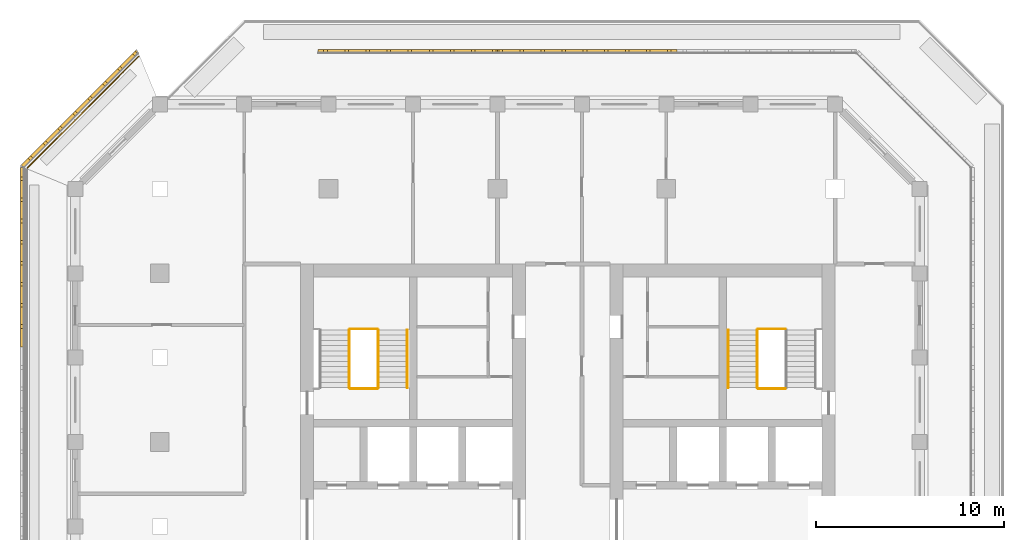
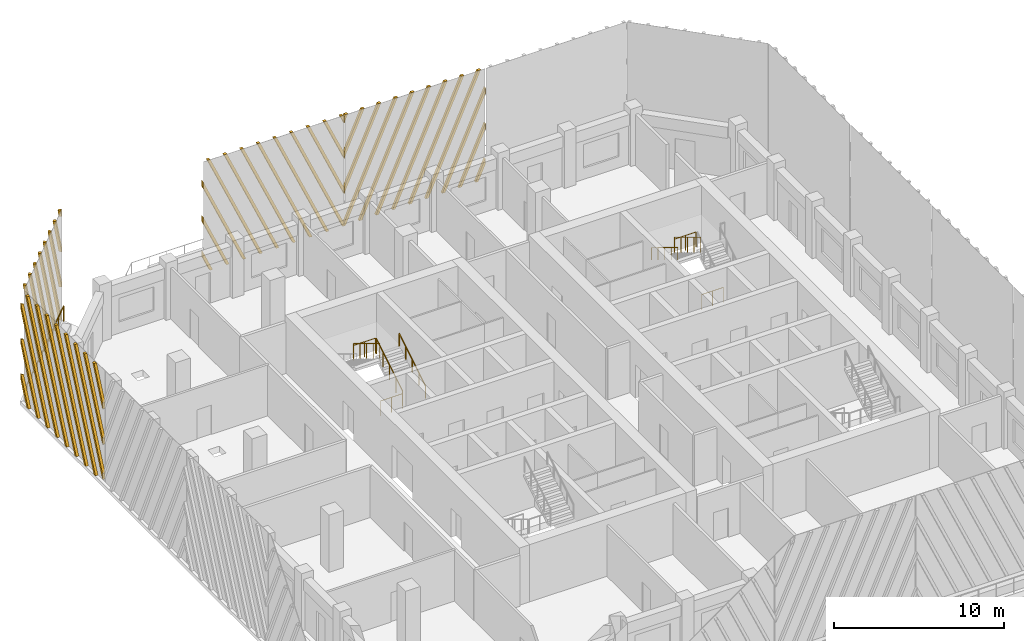
# One storey, part 12 of 14: 10 railings, 4 shading devices.
"""IFC4 building model written with IfcOpenShell, lengths in metres."""

from ifc_helpers import new_model, si_unit, direction, frame, origin, origin_2d, place, context, subcontext, project, spatial, polyline, circle, outline, extrude, source, transform, mapped, material, type_object, element, save


model = new_model("IFC4")

# Units and contexts
model_context = context("Model", 3, precision=1e-05, world=origin(), true_north=direction((0.0, 1.0)))
body_context = subcontext(model_context, "Body", "Model", "MODEL_VIEW")
ifc_project = project(units=[si_unit("LENGTHUNIT", "METRE"), si_unit("AREAUNIT", "SQUARE_METRE"), si_unit("VOLUMEUNIT", "CUBIC_METRE"), si_unit("PLANEANGLEUNIT", "RADIAN"), si_unit("MASSUNIT", "GRAM", prefix="KILO")], contexts=[model_context])

# Site, building, storey
site_placement = place(None, origin())
site = spatial("IfcSite", under=ifc_project, at=site_placement, CompositionType="ELEMENT")
building_placement = place(site_placement, origin())
building = spatial("IfcBuilding", under=site, at=building_placement, Name="Corbel Stack Research Tower", CompositionType="ELEMENT")
storey_placement = place(building_placement, frame((0.0, 0.0, 266.300048828125)))
storey = spatial("IfcBuildingStorey", under=building, at=storey_placement, Name="L60", CompositionType="ELEMENT", Elevation=266.300048828125)

# Railings
ifc_material_1 = material(Name="Steel S355", Category="steel")
railing_type_1 = type_object("IfcRailingType", Name="Stair guard 1100", PredefinedType="GUARDRAIL", material=ifc_material_1)
railing_1_placement = place(storey_placement, frame((-6.35009765625, 11.89990234375, 0.1708984375)))
element("IfcRailing", 1, at=railing_1_placement, inside=storey, type_object=railing_type_1, Name="L60 ST-W2 stair guard 1", PredefinedType="GUARDRAIL", context=body_context, shape_type="SweptSolid", body=[
    extrude(circle(Radius=0.02392578125, at=origin_2d()), frame((0.0, 0.0, 1.076171875), z_axis=(0.0, 0.853666305674, 0.52082035152), x_axis=(-1.0, 0.0, 0.0)), (0.0, 0.0, 1.0), 3.608154296875),
    extrude(circle(Radius=0.02099609375, at=origin_2d()), origin(), (0.0, 0.0, 1.0), 1.052001953125),
    extrude(circle(Radius=0.02099609375, at=origin_2d()), frame((0.0, 0.77001953125, 0.4697265625)), (0.0, 0.0, 1.0), 1.052001953125),
    extrude(circle(Radius=0.02099609375, at=origin_2d()), frame((0.0, 1.5400390625, 0.939453125)), (0.0, 0.0, 1.0), 1.052001953125),
    extrude(circle(Radius=0.02099609375, at=origin_2d()), frame((0.0, 2.31005859375, 1.409423828125)), (0.0, 0.0, 1.0), 1.052001953125),
    extrude(circle(Radius=0.02099609375, at=origin_2d()), frame((0.0, 3.080078125, 1.879150390625)), (0.0, 0.0, 1.0), 1.052001953125),
])
railing_2_placement = place(storey_placement, frame((-6.39990234375, 15.030029296875, 2.050048828125)))
element("IfcRailing", 2, at=railing_2_placement, inside=storey, type_object=railing_type_1, Name="L60 ST-W2 stair guard 2", PredefinedType="GUARDRAIL", context=body_context, shape_type="SweptSolid", body=[
    extrude(circle(Radius=0.02392578125, at=origin_2d()), frame((0.0, 0.0, 1.076171875), z_axis=(-1.0, 0.0, 0.0), x_axis=(0.0, -1.0, 0.0)), (0.0, 0.0, 1.0), 1.4501953125),
    extrude(circle(Radius=0.02099609375, at=origin_2d()), origin(), (0.0, 0.0, 1.0), 1.052001953125),
    extrude(circle(Radius=0.02099609375, at=origin_2d()), frame((-0.72509765625, 0.0, 0.0)), (0.0, 0.0, 1.0), 1.052001953125),
    extrude(circle(Radius=0.02099609375, at=origin_2d()), frame((-1.4501953125, 0.0, 0.0)), (0.0, 0.0, 1.0), 1.052001953125),
])
railing_3_placement = place(storey_placement, frame((-7.89990234375, 14.97998046875, 2.220703125)))
element("IfcRailing", 3, at=railing_3_placement, inside=storey, type_object=railing_type_1, Name="L60 ST-W2 stair guard 4", PredefinedType="GUARDRAIL", context=body_context, shape_type="SweptSolid", body=[
    extrude(circle(Radius=0.02392578125, at=origin_2d()), frame((0.0, 0.0, 1.076171875), z_axis=(0.0, -0.853666305674, 0.52082035152), x_axis=(1.0, 0.0, 0.0)), (0.0, 0.0, 1.0), 3.608154296875),
    extrude(circle(Radius=0.02099609375, at=origin_2d()), origin(), (0.0, 0.0, 1.0), 1.052001953125),
    extrude(circle(Radius=0.02099609375, at=origin_2d()), frame((0.0, -0.77001953125, 0.4697265625)), (0.0, 0.0, 1.0), 1.052001953125),
    extrude(circle(Radius=0.02099609375, at=origin_2d()), frame((0.0, -1.5400390625, 0.939453125)), (0.0, 0.0, 1.0), 1.052001953125),
    extrude(circle(Radius=0.02099609375, at=origin_2d()), frame((0.0, -2.31005859375, 1.409423828125)), (0.0, 0.0, 1.0), 1.052001953125),
    extrude(circle(Radius=0.02099609375, at=origin_2d()), frame((0.0, -3.080078125, 1.879150390625)), (0.0, 0.0, 1.0), 1.052001953125),
])
for number, where, name in (
    (4, (-6.39990234375, 11.85009765625, 0.0), "L60 ST-W2 stair guard 5"),
    (5, (15.35009765625, 15.030029296875, 2.050048828125), "L60 ST-E2 stair guard 2"),
):
    element("IfcRailing", number, at=place(storey_placement, frame(where)), inside=storey, type_object=railing_type_1, Name=name, PredefinedType="GUARDRAIL", context=body_context, shape_type="SweptSolid", body=[
        extrude(circle(Radius=0.02392578125, at=origin_2d()), frame((0.0, 0.0, 1.076171875), z_axis=(-1.0, 0.0, 0.0), x_axis=(0.0, -1.0, 0.0)), (0.0, 0.0, 1.0), 1.4501953125),
        extrude(circle(Radius=0.02099609375, at=origin_2d()), origin(), (0.0, 0.0, 1.0), 1.052001953125),
        extrude(circle(Radius=0.02099609375, at=origin_2d()), frame((-0.72509765625, 0.0, 0.0)), (0.0, 0.0, 1.0), 1.052001953125),
        extrude(circle(Radius=0.02099609375, at=origin_2d()), frame((-1.4501953125, 0.0, 0.0)), (0.0, 0.0, 1.0), 1.052001953125),
    ])
railing_4_placement = place(storey_placement, frame((13.85009765625, 14.97998046875, 2.220703125)))
element("IfcRailing", 6, at=railing_4_placement, inside=storey, type_object=railing_type_1, Name="L60 ST-E2 stair guard 4", PredefinedType="GUARDRAIL", context=body_context, shape_type="SweptSolid", body=[
    extrude(circle(Radius=0.02392578125, at=origin_2d()), frame((0.0, 0.0, 1.076171875), z_axis=(0.0, -0.853666305674, 0.52082035152), x_axis=(1.0, 0.0, 0.0)), (0.0, 0.0, 1.0), 3.608154296875),
    extrude(circle(Radius=0.02099609375, at=origin_2d()), origin(), (0.0, 0.0, 1.0), 1.052001953125),
    extrude(circle(Radius=0.02099609375, at=origin_2d()), frame((0.0, -0.77001953125, 0.4697265625)), (0.0, 0.0, 1.0), 1.052001953125),
    extrude(circle(Radius=0.02099609375, at=origin_2d()), frame((0.0, -1.5400390625, 0.939453125)), (0.0, 0.0, 1.0), 1.052001953125),
    extrude(circle(Radius=0.02099609375, at=origin_2d()), frame((0.0, -2.31005859375, 1.409423828125)), (0.0, 0.0, 1.0), 1.052001953125),
    extrude(circle(Radius=0.02099609375, at=origin_2d()), frame((0.0, -3.080078125, 1.879150390625)), (0.0, 0.0, 1.0), 1.052001953125),
])
railing_5_placement = place(storey_placement, frame((15.35009765625, 11.85009765625, 0.0)))
element("IfcRailing", 7, at=railing_5_placement, inside=storey, type_object=railing_type_1, Name="L60 ST-E2 stair guard 5", PredefinedType="GUARDRAIL", context=body_context, shape_type="SweptSolid", body=[
    extrude(circle(Radius=0.02392578125, at=origin_2d()), frame((0.0, 0.0, 1.076171875), z_axis=(-1.0, 0.0, 0.0), x_axis=(0.0, -1.0, 0.0)), (0.0, 0.0, 1.0), 1.4501953125),
    extrude(circle(Radius=0.02099609375, at=origin_2d()), origin(), (0.0, 0.0, 1.0), 1.052001953125),
    extrude(circle(Radius=0.02099609375, at=origin_2d()), frame((-0.72509765625, 0.0, 0.0)), (0.0, 0.0, 1.0), 1.052001953125),
    extrude(circle(Radius=0.02099609375, at=origin_2d()), frame((-1.4501953125, 0.0, 0.0)), (0.0, 0.0, 1.0), 1.052001953125),
])
ifc_material_2 = material(Name="Steel S355", Category="steel")
railing_type_2 = type_object("IfcRailingType", Name="Stair handrail 900", PredefinedType="HANDRAIL", material=ifc_material_2)
railing_6_placement = place(storey_placement, frame((-4.800048828125, 11.89990234375, 0.1708984375)))
element("IfcRailing", 8, at=railing_6_placement, inside=storey, type_object=railing_type_2, Name="L60 ST-W2 stair handrail 1", PredefinedType="HANDRAIL", context=body_context, shape_type="SweptSolid", body=[
    extrude(circle(Radius=0.02392578125, at=origin_2d()), frame((0.0, 0.0, 0.8759765625), z_axis=(0.0, 0.853666305674, 0.52082035152), x_axis=(-1.0, 0.0, 0.0)), (0.0, 0.0, 1.0), 3.608154296875),
    extrude(circle(Radius=0.02099609375, at=origin_2d()), origin(), (0.0, 0.0, 1.0), 0.851806640625),
    extrude(circle(Radius=0.02099609375, at=origin_2d()), frame((0.0, 0.77001953125, 0.4697265625)), (0.0, 0.0, 1.0), 0.851806640625),
    extrude(circle(Radius=0.02099609375, at=origin_2d()), frame((0.0, 1.5400390625, 0.939453125)), (0.0, 0.0, 1.0), 0.851806640625),
    extrude(circle(Radius=0.02099609375, at=origin_2d()), frame((0.0, 2.31005859375, 1.409423828125)), (0.0, 0.0, 1.0), 0.851806640625),
    extrude(circle(Radius=0.02099609375, at=origin_2d()), frame((0.0, 3.080078125, 1.879150390625)), (0.0, 0.0, 1.0), 0.851806640625),
])
railing_7_placement = place(storey_placement, frame((12.300048828125, 14.97998046875, 2.220703125)))
element("IfcRailing", 9, at=railing_7_placement, inside=storey, type_object=railing_type_2, Name="L60 ST-E2 stair handrail 2", PredefinedType="HANDRAIL", context=body_context, shape_type="SweptSolid", body=[
    extrude(circle(Radius=0.02392578125, at=origin_2d()), frame((0.0, 0.0, 0.8759765625), z_axis=(0.0, -0.853666305674, 0.52082035152), x_axis=(1.0, 0.0, 0.0)), (0.0, 0.0, 1.0), 3.608154296875),
    extrude(circle(Radius=0.02099609375, at=origin_2d()), origin(), (0.0, 0.0, 1.0), 0.851806640625),
    extrude(circle(Radius=0.02099609375, at=origin_2d()), frame((0.0, -0.77001953125, 0.4697265625)), (0.0, 0.0, 1.0), 0.851806640625),
    extrude(circle(Radius=0.02099609375, at=origin_2d()), frame((0.0, -1.5400390625, 0.939453125)), (0.0, 0.0, 1.0), 0.851806640625),
    extrude(circle(Radius=0.02099609375, at=origin_2d()), frame((0.0, -2.31005859375, 1.409423828125)), (0.0, 0.0, 1.0), 0.851806640625),
    extrude(circle(Radius=0.02099609375, at=origin_2d()), frame((0.0, -3.080078125, 1.879150390625)), (0.0, 0.0, 1.0), 0.851806640625),
])
ifc_material_3 = material(Name="Powder-coated steel guard", Category="steel")
railing_type_3 = type_object("IfcRailingType", Name="Steel and glass guard 1100", PredefinedType="GUARDRAIL", material=ifc_material_3)
railing_8_placement = place(storey_placement, frame((-19.127685546875, 29.54931640625, 0.0)))
element("IfcRailing", 10, at=railing_8_placement, inside=storey, type_object=railing_type_3, Name="Loggia guard L60 NW", PredefinedType="GUARDRAIL", context=body_context, shape_type="SweptSolid", body=[
    extrude(circle(Radius=0.02392578125, at=origin_2d()), frame((0.0, 0.0, 1.076171875), z_axis=(-0.707106781187, -0.707106781187, 0.0), x_axis=(0.707106781187, -0.707106781187, 0.0)), (0.0, 0.0, 1.0), 8.37451171875),
    extrude(circle(Radius=0.02099609375, at=origin_2d()), origin(), (0.0, 0.0, 1.0), 1.052001953125),
    extrude(circle(Radius=0.02099609375, at=origin_2d()), frame((-0.845947265625, -0.845947265625, 0.0)), (0.0, 0.0, 1.0), 1.052001953125),
    extrude(circle(Radius=0.02099609375, at=origin_2d()), frame((-1.69189453125, -1.69189453125, 0.0)), (0.0, 0.0, 1.0), 1.052001953125),
    extrude(circle(Radius=0.02099609375, at=origin_2d()), frame((-2.537841796875, -2.537841796875, 0.0)), (0.0, 0.0, 1.0), 1.052001953125),
    extrude(circle(Radius=0.02099609375, at=origin_2d()), frame((-3.3837890625, -3.3837890625, 0.0)), (0.0, 0.0, 1.0), 1.052001953125),
    extrude(circle(Radius=0.02099609375, at=origin_2d()), frame((-4.229736328125, -4.229736328125, 0.0)), (0.0, 0.0, 1.0), 1.052001953125),
    extrude(circle(Radius=0.02099609375, at=origin_2d()), frame((-5.07568359375, -5.07568359375, 0.0)), (0.0, 0.0, 1.0), 1.052001953125),
    extrude(circle(Radius=0.02099609375, at=origin_2d()), frame((-5.921630859375, -5.921630859375, 0.0)), (0.0, 0.0, 1.0), 1.052001953125),
])

# Shading devices
ifc_material_4 = material(Name="Precast terracotta", Category="masonry")
shading_device_type = type_object("IfcShadingDeviceType", Name="Terracotta screen panel", PredefinedType="USERDEFINED", material=ifc_material_4)
shared_shape_1 = source(origin(), body_context, "Body", "SweptSolid", [
    extrude(outline(polyline([(0.259521484375, 7.949951171875), (0.069580078125, 7.949951171875), (0.0, 7.793701171875), (0.0, 7.366943359375), (0.259521484375, 7.949951171875)])), frame((0.0, 0.0, 0.0), z_axis=(0.0, -1.0, 0.0), x_axis=(1.0, 0.0, 0.0)), (0.0, 0.0, 1.0), 0.179931640625),
    extrude(outline(polyline([(1.384521484375, 7.949951171875), (1.194580078125, 7.949951171875), (0.0, 5.26708984375), (0.0, 4.840087890625), (1.384521484375, 7.949951171875)])), frame((0.0, 0.0, 0.0), z_axis=(0.0, -1.0, 0.0), x_axis=(1.0, 0.0, 0.0)), (0.0, 0.0, 1.0), 0.179931640625),
    extrude(outline(polyline([(2.509521484375, 7.949951171875), (2.319580078125, 7.949951171875), (0.0, 2.740234375), (0.0, 2.3134765625), (2.509521484375, 7.949951171875)])), frame((0.0, 0.0, 0.0), z_axis=(0.0, -1.0, 0.0), x_axis=(1.0, 0.0, 0.0)), (0.0, 0.0, 1.0), 0.179931640625),
    extrude(outline(polyline([(0.094970703125, 0.0), (3.634521484375, 7.949951171875), (3.444580078125, 7.949951171875), (0.0, 0.21337890625), (0.0, 0.0), (0.094970703125, 0.0)])), frame((0.0, 0.0, 0.0), z_axis=(0.0, -1.0, 0.0), x_axis=(1.0, 0.0, 0.0)), (0.0, 0.0, 1.0), 0.179931640625),
    extrude(outline(polyline([(1.219970703125, 0.0), (4.759521484375, 7.949951171875), (4.569580078125, 7.949951171875), (1.030029296875, 0.0), (1.219970703125, 0.0)])), frame((0.0, 0.0, 0.0), z_axis=(0.0, -1.0, 0.0), x_axis=(1.0, 0.0, 0.0)), (0.0, 0.0, 1.0), 0.179931640625),
    extrude(outline(polyline([(2.344970703125, 0.0), (5.884521484375, 7.949951171875), (5.694580078125, 7.949951171875), (2.155029296875, 0.0), (2.344970703125, 0.0)])), frame((0.0, 0.0, 0.0), z_axis=(0.0, -1.0, 0.0), x_axis=(1.0, 0.0, 0.0)), (0.0, 0.0, 1.0), 0.179931640625),
    extrude(outline(polyline([(3.469970703125, 0.0), (7.009521484375, 7.949951171875), (6.819580078125, 7.949951171875), (3.280029296875, 0.0), (3.469970703125, 0.0)])), frame((0.0, 0.0, 0.0), z_axis=(0.0, -1.0, 0.0), x_axis=(1.0, 0.0, 0.0)), (0.0, 0.0, 1.0), 0.179931640625),
    extrude(outline(polyline([(4.594970703125, 0.0), (8.134521484375, 7.949951171875), (7.944580078125, 7.949951171875), (4.405029296875, 0.0), (4.594970703125, 0.0)])), frame((0.0, 0.0, 0.0), z_axis=(0.0, -1.0, 0.0), x_axis=(1.0, 0.0, 0.0)), (0.0, 0.0, 1.0), 0.179931640625),
    extrude(outline(polyline([(5.719970703125, 0.0), (9.259521484375, 7.949951171875), (9.069580078125, 7.949951171875), (5.530029296875, 0.0), (5.719970703125, 0.0)])), frame((0.0, 0.0, 0.0), z_axis=(0.0, -1.0, 0.0), x_axis=(1.0, 0.0, 0.0)), (0.0, 0.0, 1.0), 0.179931640625),
    extrude(outline(polyline([(6.844970703125, 0.0), (9.569580078125, 6.119384765625), (9.569580078125, 6.546142578125), (6.655029296875, 0.0), (6.844970703125, 0.0)])), frame((0.0, 0.0, 0.0), z_axis=(0.0, -1.0, 0.0), x_axis=(1.0, 0.0, 0.0)), (0.0, 0.0, 1.0), 0.179931640625),
    extrude(outline(polyline([(7.969970703125, 0.0), (9.569580078125, 3.592529296875), (9.569580078125, 4.019287109375), (7.780029296875, 0.0), (7.969970703125, 0.0)])), frame((0.0, 0.0, 0.0), z_axis=(0.0, -1.0, 0.0), x_axis=(1.0, 0.0, 0.0)), (0.0, 0.0, 1.0), 0.179931640625),
    extrude(outline(polyline([(9.094970703125, 0.0), (9.569580078125, 1.06591796875), (9.569580078125, 1.49267578125), (8.905029296875, 0.0), (9.094970703125, 0.0)])), frame((0.0, 0.0, 0.0), z_axis=(0.0, -1.0, 0.0), x_axis=(1.0, 0.0, 0.0)), (0.0, 0.0, 1.0), 0.179931640625),
])
shading_device_1_placement = place(storey_placement, frame((0.0, 29.75, 0.0), z_axis=(0.0, 0.0, 1.0), x_axis=(-1.0, 0.0, 0.0)))
element("IfcShadingDevice", 11, at=shading_device_1_placement, inside=storey, type_object=shading_device_type, Name="Terracotta screen L60 N3", ObjectType="SCREEN", PredefinedType="USERDEFINED", context=body_context, shape_type="MappedRepresentation", body=[
    mapped(shared_shape_1, transform((0.0, 0.0, 0.0))),
])
shared_shape_2 = source(origin(), body_context, "Body", "SweptSolid", [
    extrude(outline(polyline([(0.66455078125, 0.0), (0.0, 1.49267578125), (0.0, 1.06591796875), (0.474609375, 0.0), (0.66455078125, 0.0)])), frame((0.0, 0.0, 0.0), z_axis=(0.0, -1.0, 0.0), x_axis=(1.0, 0.0, 0.0)), (0.0, 0.0, 1.0), 0.179931640625),
    extrude(outline(polyline([(1.78955078125, 0.0), (0.0, 4.019287109375), (0.0, 3.592529296875), (1.599609375, 0.0), (1.78955078125, 0.0)])), frame((0.0, 0.0, 0.0), z_axis=(0.0, -1.0, 0.0), x_axis=(1.0, 0.0, 0.0)), (0.0, 0.0, 1.0), 0.179931640625),
    extrude(outline(polyline([(2.91455078125, 0.0), (0.0, 6.546142578125), (0.0, 6.119384765625), (2.724609375, 0.0), (2.91455078125, 0.0)])), frame((0.0, 0.0, 0.0), z_axis=(0.0, -1.0, 0.0), x_axis=(1.0, 0.0, 0.0)), (0.0, 0.0, 1.0), 0.179931640625),
    extrude(outline(polyline([(4.03955078125, 0.0), (0.5, 7.949951171875), (0.31005859375, 7.949951171875), (3.849609375, 0.0), (4.03955078125, 0.0)])), frame((0.0, 0.0, 0.0), z_axis=(0.0, -1.0, 0.0), x_axis=(1.0, 0.0, 0.0)), (0.0, 0.0, 1.0), 0.179931640625),
    extrude(outline(polyline([(5.16455078125, 0.0), (1.625, 7.949951171875), (1.43505859375, 7.949951171875), (4.974609375, 0.0), (5.16455078125, 0.0)])), frame((0.0, 0.0, 0.0), z_axis=(0.0, -1.0, 0.0), x_axis=(1.0, 0.0, 0.0)), (0.0, 0.0, 1.0), 0.179931640625),
    extrude(outline(polyline([(6.28955078125, 0.0), (2.75, 7.949951171875), (2.56005859375, 7.949951171875), (6.099609375, 0.0), (6.28955078125, 0.0)])), frame((0.0, 0.0, 0.0), z_axis=(0.0, -1.0, 0.0), x_axis=(1.0, 0.0, 0.0)), (0.0, 0.0, 1.0), 0.179931640625),
    extrude(outline(polyline([(7.41455078125, 0.0), (3.875, 7.949951171875), (3.68505859375, 7.949951171875), (7.224609375, 0.0), (7.41455078125, 0.0)])), frame((0.0, 0.0, 0.0), z_axis=(0.0, -1.0, 0.0), x_axis=(1.0, 0.0, 0.0)), (0.0, 0.0, 1.0), 0.179931640625),
    extrude(outline(polyline([(8.53955078125, 0.0), (5.0, 7.949951171875), (4.81005859375, 7.949951171875), (8.349609375, 0.0), (8.53955078125, 0.0)])), frame((0.0, 0.0, 0.0), z_axis=(0.0, -1.0, 0.0), x_axis=(1.0, 0.0, 0.0)), (0.0, 0.0, 1.0), 0.179931640625),
    extrude(outline(polyline([(9.569580078125, 0.0), (9.569580078125, 0.21337890625), (6.125, 7.949951171875), (5.93505859375, 7.949951171875), (9.474609375, 0.0), (9.569580078125, 0.0)])), frame((0.0, 0.0, 0.0), z_axis=(0.0, -1.0, 0.0), x_axis=(1.0, 0.0, 0.0)), (0.0, 0.0, 1.0), 0.179931640625),
    extrude(outline(polyline([(7.25, 7.949951171875), (7.06005859375, 7.949951171875), (9.569580078125, 2.3134765625), (9.569580078125, 2.740234375), (7.25, 7.949951171875)])), frame((0.0, 0.0, 0.0), z_axis=(0.0, -1.0, 0.0), x_axis=(1.0, 0.0, 0.0)), (0.0, 0.0, 1.0), 0.179931640625),
    extrude(outline(polyline([(8.375, 7.949951171875), (8.18505859375, 7.949951171875), (9.569580078125, 4.840087890625), (9.569580078125, 5.26708984375), (8.375, 7.949951171875)])), frame((0.0, 0.0, 0.0), z_axis=(0.0, -1.0, 0.0), x_axis=(1.0, 0.0, 0.0)), (0.0, 0.0, 1.0), 0.179931640625),
    extrude(outline(polyline([(9.5, 7.949951171875), (9.31005859375, 7.949951171875), (9.569580078125, 7.366943359375), (9.569580078125, 7.793701171875), (9.5, 7.949951171875)])), frame((0.0, 0.0, 0.0), z_axis=(0.0, -1.0, 0.0), x_axis=(1.0, 0.0, 0.0)), (0.0, 0.0, 1.0), 0.179931640625),
])
shading_device_2_placement = place(storey_placement, frame((9.569580078125, 29.75, 0.0), z_axis=(0.0, 0.0, 1.0), x_axis=(-1.0, 0.0, 0.0)))
element("IfcShadingDevice", 12, at=shading_device_2_placement, inside=storey, type_object=shading_device_type, Name="Terracotta screen L60 N2", ObjectType="SCREEN", PredefinedType="USERDEFINED", context=body_context, shape_type="MappedRepresentation", body=[
    mapped(shared_shape_2, transform((0.0, 0.0, 0.0))),
])
shared_shape_3 = source(origin(), body_context, "Body", "SweptSolid", [
    extrude(outline(polyline([(0.259521484375, 7.949951171875), (0.069580078125, 7.949951171875), (0.0, 7.793701171875), (0.0, 7.366943359375), (0.259521484375, 7.949951171875)])), frame((0.0, 0.0, 0.0), z_axis=(0.0, -1.0, 0.0), x_axis=(1.0, 0.0, 0.0)), (0.0, 0.0, 1.0), 0.179931640625),
    extrude(outline(polyline([(1.384521484375, 7.949951171875), (1.194580078125, 7.949951171875), (0.0, 5.26708984375), (0.0, 4.840087890625), (1.384521484375, 7.949951171875)])), frame((0.0, 0.0, 0.0), z_axis=(0.0, -1.0, 0.0), x_axis=(1.0, 0.0, 0.0)), (0.0, 0.0, 1.0), 0.179931640625),
    extrude(outline(polyline([(2.509521484375, 7.949951171875), (2.319580078125, 7.949951171875), (0.0, 2.740234375), (0.0, 2.3134765625), (2.509521484375, 7.949951171875)])), frame((0.0, 0.0, 0.0), z_axis=(0.0, -1.0, 0.0), x_axis=(1.0, 0.0, 0.0)), (0.0, 0.0, 1.0), 0.179931640625),
    extrude(outline(polyline([(0.094970703125, 0.0), (3.634521484375, 7.949951171875), (3.444580078125, 7.949951171875), (0.0, 0.21337890625), (0.0, 0.0), (0.094970703125, 0.0)])), frame((0.0, 0.0, 0.0), z_axis=(0.0, -1.0, 0.0), x_axis=(1.0, 0.0, 0.0)), (0.0, 0.0, 1.0), 0.179931640625),
    extrude(outline(polyline([(1.219970703125, 0.0), (4.759521484375, 7.949951171875), (4.569580078125, 7.949951171875), (1.030029296875, 0.0), (1.219970703125, 0.0)])), frame((0.0, 0.0, 0.0), z_axis=(0.0, -1.0, 0.0), x_axis=(1.0, 0.0, 0.0)), (0.0, 0.0, 1.0), 0.179931640625),
    extrude(outline(polyline([(2.344970703125, 0.0), (5.884521484375, 7.949951171875), (5.694580078125, 7.949951171875), (2.155029296875, 0.0), (2.344970703125, 0.0)])), frame((0.0, 0.0, 0.0), z_axis=(0.0, -1.0, 0.0), x_axis=(1.0, 0.0, 0.0)), (0.0, 0.0, 1.0), 0.179931640625),
    extrude(outline(polyline([(3.469970703125, 0.0), (7.009521484375, 7.949951171875), (6.819580078125, 7.949951171875), (3.280029296875, 0.0), (3.469970703125, 0.0)])), frame((0.0, 0.0, 0.0), z_axis=(0.0, -1.0, 0.0), x_axis=(1.0, 0.0, 0.0)), (0.0, 0.0, 1.0), 0.179931640625),
    extrude(outline(polyline([(4.594970703125, 0.0), (8.134521484375, 7.949951171875), (7.944580078125, 7.949951171875), (4.405029296875, 0.0), (4.594970703125, 0.0)])), frame((0.0, 0.0, 0.0), z_axis=(0.0, -1.0, 0.0), x_axis=(1.0, 0.0, 0.0)), (0.0, 0.0, 1.0), 0.179931640625),
    extrude(outline(polyline([(5.719970703125, 0.0), (8.64208984375, 6.563232421875), (8.64208984375, 6.989990234375), (5.530029296875, 0.0), (5.719970703125, 0.0)])), frame((0.0, 0.0, 0.0), z_axis=(0.0, -1.0, 0.0), x_axis=(1.0, 0.0, 0.0)), (0.0, 0.0, 1.0), 0.179931640625),
    extrude(outline(polyline([(6.844970703125, 0.0), (8.64208984375, 4.036376953125), (8.64208984375, 4.463134765625), (6.655029296875, 0.0), (6.844970703125, 0.0)])), frame((0.0, 0.0, 0.0), z_axis=(0.0, -1.0, 0.0), x_axis=(1.0, 0.0, 0.0)), (0.0, 0.0, 1.0), 0.179931640625),
    extrude(outline(polyline([(7.969970703125, 0.0), (8.64208984375, 1.509521484375), (8.64208984375, 1.936279296875), (7.780029296875, 0.0), (7.969970703125, 0.0)])), frame((0.0, 0.0, 0.0), z_axis=(0.0, -1.0, 0.0), x_axis=(1.0, 0.0, 0.0)), (0.0, 0.0, 1.0), 0.179931640625),
])
shading_device_3_placement = place(storey_placement, frame((-19.13916015625, 29.75, 0.0), z_axis=(0.0, 0.0, 1.0), x_axis=(-0.707106781187, -0.707106781187, 0.0)))
element("IfcShadingDevice", 13, at=shading_device_3_placement, inside=storey, type_object=shading_device_type, Name="Terracotta screen L60 NW1", ObjectType="SCREEN", PredefinedType="USERDEFINED", context=body_context, shape_type="MappedRepresentation", body=[
    mapped(shared_shape_3, transform((0.0, 0.0, 0.0))),
])
shared_shape_4 = source(origin(), body_context, "Body", "SweptSolid", [
    extrude(outline(polyline([(0.862060546875, 0.0), (0.0, 1.936279296875), (0.0, 1.509521484375), (0.672119140625, 0.0), (0.862060546875, 0.0)])), frame((0.0, 0.0, 0.0), z_axis=(0.0, -1.0, 0.0), x_axis=(1.0, 0.0, 0.0)), (0.0, 0.0, 1.0), 0.179931640625),
    extrude(outline(polyline([(1.987060546875, 0.0), (0.0, 4.463134765625), (0.0, 4.036376953125), (1.797119140625, 0.0), (1.987060546875, 0.0)])), frame((0.0, 0.0, 0.0), z_axis=(0.0, -1.0, 0.0), x_axis=(1.0, 0.0, 0.0)), (0.0, 0.0, 1.0), 0.179931640625),
    extrude(outline(polyline([(3.112060546875, 0.0), (0.0, 6.989990234375), (0.0, 6.563232421875), (2.922119140625, 0.0), (3.112060546875, 0.0)])), frame((0.0, 0.0, 0.0), z_axis=(0.0, -1.0, 0.0), x_axis=(1.0, 0.0, 0.0)), (0.0, 0.0, 1.0), 0.179931640625),
    extrude(outline(polyline([(4.237060546875, 0.0), (0.697509765625, 7.949951171875), (0.507568359375, 7.949951171875), (4.047119140625, 0.0), (4.237060546875, 0.0)])), frame((0.0, 0.0, 0.0), z_axis=(0.0, -1.0, 0.0), x_axis=(1.0, 0.0, 0.0)), (0.0, 0.0, 1.0), 0.179931640625),
    extrude(outline(polyline([(5.362060546875, 0.0), (1.822509765625, 7.949951171875), (1.632568359375, 7.949951171875), (5.172119140625, 0.0), (5.362060546875, 0.0)])), frame((0.0, 0.0, 0.0), z_axis=(0.0, -1.0, 0.0), x_axis=(1.0, 0.0, 0.0)), (0.0, 0.0, 1.0), 0.179931640625),
    extrude(outline(polyline([(6.487060546875, 0.0), (2.947509765625, 7.949951171875), (2.757568359375, 7.949951171875), (6.297119140625, 0.0), (6.487060546875, 0.0)])), frame((0.0, 0.0, 0.0), z_axis=(0.0, -1.0, 0.0), x_axis=(1.0, 0.0, 0.0)), (0.0, 0.0, 1.0), 0.179931640625),
    extrude(outline(polyline([(7.612060546875, 0.0), (4.072509765625, 7.949951171875), (3.882568359375, 7.949951171875), (7.422119140625, 0.0), (7.612060546875, 0.0)])), frame((0.0, 0.0, 0.0), z_axis=(0.0, -1.0, 0.0), x_axis=(1.0, 0.0, 0.0)), (0.0, 0.0, 1.0), 0.179931640625),
    extrude(outline(polyline([(8.737060546875, 0.0), (5.197509765625, 7.949951171875), (5.007568359375, 7.949951171875), (8.547119140625, 0.0), (8.737060546875, 0.0)])), frame((0.0, 0.0, 0.0), z_axis=(0.0, -1.0, 0.0), x_axis=(1.0, 0.0, 0.0)), (0.0, 0.0, 1.0), 0.179931640625),
    extrude(outline(polyline([(6.322509765625, 7.949951171875), (6.132568359375, 7.949951171875), (9.569580078125, 0.23046875), (9.569580078125, 0.6572265625), (6.322509765625, 7.949951171875)])), frame((0.0, 0.0, 0.0), z_axis=(0.0, -1.0, 0.0), x_axis=(1.0, 0.0, 0.0)), (0.0, 0.0, 1.0), 0.179931640625),
    extrude(outline(polyline([(7.447509765625, 7.949951171875), (7.257568359375, 7.949951171875), (9.569580078125, 2.757080078125), (9.569580078125, 3.18408203125), (7.447509765625, 7.949951171875)])), frame((0.0, 0.0, 0.0), z_axis=(0.0, -1.0, 0.0), x_axis=(1.0, 0.0, 0.0)), (0.0, 0.0, 1.0), 0.179931640625),
    extrude(outline(polyline([(8.572509765625, 7.949951171875), (8.382568359375, 7.949951171875), (9.569580078125, 5.283935546875), (9.569580078125, 5.710693359375), (8.572509765625, 7.949951171875)])), frame((0.0, 0.0, 0.0), z_axis=(0.0, -1.0, 0.0), x_axis=(1.0, 0.0, 0.0)), (0.0, 0.0, 1.0), 0.179931640625),
])
shading_device_4_placement = place(storey_placement, frame((-25.25, 23.63916015625, 0.0), z_axis=(0.0, 0.0, 1.0), x_axis=(0.0, -1.0, 0.0)))
element("IfcShadingDevice", 14, at=shading_device_4_placement, inside=storey, type_object=shading_device_type, Name="Terracotta screen L60 W1", ObjectType="SCREEN", PredefinedType="USERDEFINED", context=body_context, shape_type="MappedRepresentation", body=[
    mapped(shared_shape_4, transform((0.0, 0.0, 0.0))),
])

save(model, "model.ifc")
